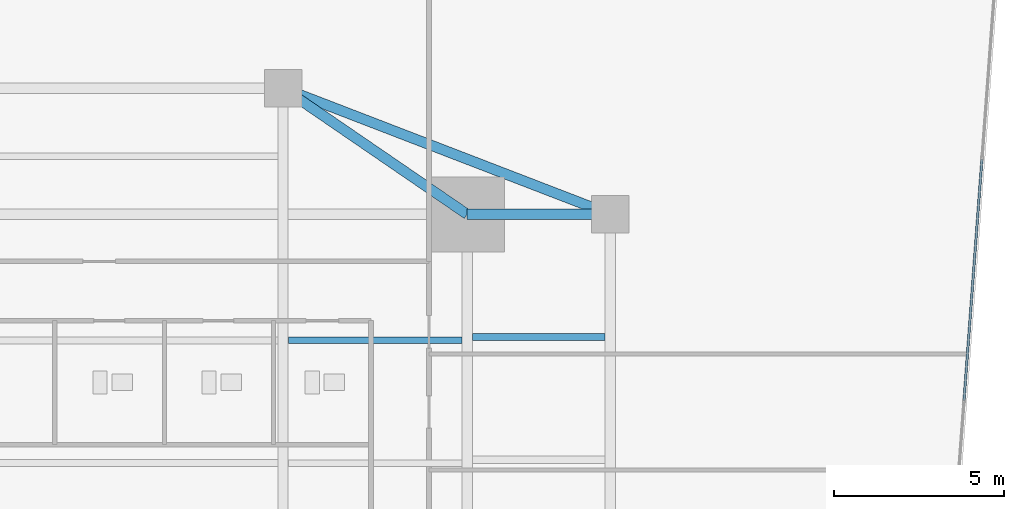
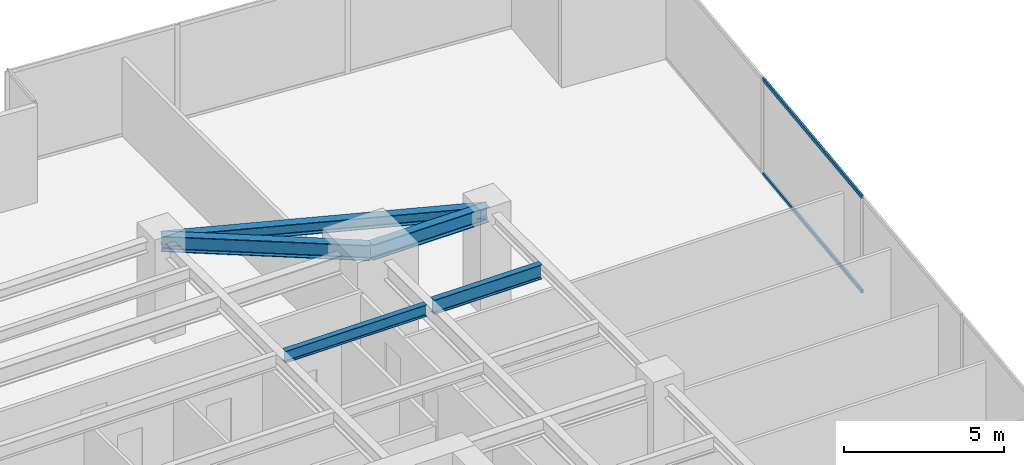
# One storey, part 21 of 30: 5 beams, 2 members, 1 element without a shape of its own.
"""IFC4 building model written with IfcOpenShell, lengths in metres."""

from ifc_helpers import new_model, si_unit, direction, frame, origin, origin_2d, place, context, subcontext, project, spatial, hollow_rectangle, i_section, extrude, source, transform, mapped, material, material_profile, profile_set, type_object, type_shapes, element, aggregate, save


model = new_model("IFC4")

# Units and contexts
model_context = context("Model", 3, precision=1e-05, world=origin(), true_north=direction((0.0, 1.0)))
body_context = subcontext(model_context, "Body", "Model", "MODEL_VIEW")
ifc_project = project(units=[si_unit("LENGTHUNIT", "METRE"), si_unit("AREAUNIT", "SQUARE_METRE"), si_unit("VOLUMEUNIT", "CUBIC_METRE"), si_unit("PLANEANGLEUNIT", "RADIAN"), si_unit("MASSUNIT", "GRAM", prefix="KILO")], contexts=[model_context])

# Site, building, storey
site_placement = place(None, origin())
site = spatial("IfcSite", under=ifc_project, at=site_placement, CompositionType="ELEMENT")
building_placement = place(site_placement, origin())
building = spatial("IfcBuilding", under=site, at=building_placement, Name="Krantzveldt Concourse Tower", CompositionType="ELEMENT")
storey_placement = place(building_placement, frame((0.0, 0.0, 48.699951171875)))
storey = spatial("IfcBuildingStorey", under=building, at=storey_placement, Name="L11", CompositionType="ELEMENT", Elevation=48.699951171875)

# Beams
ifc_material_1 = material(Name="Steel S355JR", Category="steel")
ifc_material_profile_1 = material_profile(ifc_material_1, i_section(OverallWidth=0.300048828125, OverallDepth=0.43994140625, WebThickness=0.011474609375, FlangeThickness=0.02099609375, FilletRadius=0.027099609375, at=origin_2d()), Name="Steel S355JR", Category="steel")
ifc_profile_set_1 = profile_set([ifc_material_profile_1], Name="Steel S355JR - HEA 450")
beam_type_1 = type_object("IfcBeamType", Name="BM-SP-HEA450", PredefinedType="SPANDREL", material=ifc_profile_set_1)
shared_shape_1 = source(origin(), body_context, "Body", "SweptSolid", [
    extrude(i_section(OverallWidth=0.300048828125, OverallDepth=0.43994140625, WebThickness=0.011474609375, FlangeThickness=0.02099609375, FilletRadius=0.027099609375, at=origin_2d()), origin(), (0.0, 0.0, 1.0), 10.288330078125),
])
type_shapes(beam_type_1, [shared_shape_1])
beam_1_placement = place(storey_placement, frame((41.39990234375, 41.199951171875, 3.449951171875), z_axis=(0.933097690408, -0.359622997257, 0.0), x_axis=(0.359622997257, 0.933097690408, 0.0)))
element("IfcBeam", 1, at=beam_1_placement, inside=storey, type_object=beam_type_1, Name="L11 Tower Girder SP-R05", PredefinedType="SPANDREL", context=body_context, shape_type="MappedRepresentation", body=[
    mapped(shared_shape_1, transform((0.0, 0.0, 0.0), x_axis=(1.0, 0.0, 0.0), y_axis=(0.0, 1.0, 0.0), z_axis=(0.0, 0.0, 1.0), scale=1.0)),
])
ifc_material_profile_2 = material_profile(ifc_material_1, i_section(OverallWidth=0.300048828125, OverallDepth=0.590087890625, WebThickness=0.012939453125, FlangeThickness=0.02490234375, FilletRadius=0.027099609375, at=origin_2d()), Name="Steel S355JR", Category="steel")
ifc_profile_set_2 = profile_set([ifc_material_profile_2], Name="Steel S355JR - HEA 600")
beam_type_2 = type_object("IfcBeamType", Name="BM-B-HEA600", PredefinedType="BEAM", material=ifc_profile_set_2)
shared_shape_2 = source(origin(), body_context, "Body", "SweptSolid", [
    extrude(i_section(OverallWidth=0.300048828125, OverallDepth=0.590087890625, WebThickness=0.012939453125, FlangeThickness=0.02490234375, FilletRadius=0.027099609375, at=origin_2d()), origin(), (0.0, 0.0, 1.0), 4.199951171875),
])
beam_2_placement = place(storey_placement, frame((46.800048828125, 37.5, 3.375), z_axis=(1.0, 0.0, 0.0), x_axis=(0.0, 1.0, 0.0)))
element("IfcBeam", 2, at=beam_2_placement, inside=storey, type_object=beam_type_2, Name="L11 Tower Girder BR-RR3", PredefinedType="BEAM", context=body_context, shape_type="MappedRepresentation", body=[
    mapped(shared_shape_2, transform((0.0, 0.0, 0.0), x_axis=(1.0, 0.0, 0.0), y_axis=(0.0, 1.0, 0.0), z_axis=(0.0, 0.0, 1.0), scale=1.0)),
])
shared_shape_3 = source(origin(), body_context, "Body", "SweptSolid", [
    extrude(i_section(OverallWidth=0.300048828125, OverallDepth=0.590087890625, WebThickness=0.012939453125, FlangeThickness=0.02490234375, FilletRadius=0.027099609375, at=origin_2d()), origin(), (0.0, 0.0, 1.0), 6.546142578125),
])
type_shapes(beam_type_2, [shared_shape_2, shared_shape_3])
beam_3_placement = place(storey_placement, frame((46.800048828125, 37.5, 3.375), z_axis=(-0.824942999484, 0.565215930068, 0.0), x_axis=(-0.565215930068, -0.824942999484, 0.0)))
element("IfcBeam", 3, at=beam_3_placement, inside=storey, type_object=beam_type_2, Name="L11 Tower Girder BR-RR4", PredefinedType="BEAM", context=body_context, shape_type="MappedRepresentation", body=[
    mapped(shared_shape_3, transform((0.0, 0.0, 0.0), x_axis=(1.0, 0.0, 0.0), y_axis=(0.0, 1.0, 0.0), z_axis=(0.0, 0.0, 1.0), scale=1.0)),
])
ifc_material_profile_3 = material_profile(ifc_material_1, i_section(OverallWidth=0.18994140625, OverallDepth=0.449951171875, WebThickness=0.009521484375, FlangeThickness=0.0146484375, FilletRadius=0.02099609375, at=origin_2d()), Name="Steel S355JR", Category="steel")
ifc_profile_set_3 = profile_set([ifc_material_profile_3], Name="Steel S355JR - IPE 450")
beam_type_3 = type_object("IfcBeamType", Name="BM-J-IPE450", PredefinedType="JOIST", material=ifc_profile_set_3)
shared_shape_4 = source(origin(), body_context, "Body", "SweptSolid", [
    extrude(i_section(OverallWidth=0.18994140625, OverallDepth=0.449951171875, WebThickness=0.009521484375, FlangeThickness=0.0146484375, FilletRadius=0.02099609375, at=origin_2d()), origin(), (0.0, 0.0, 1.0), 5.099853515625),
])
type_shapes(beam_type_3, [shared_shape_4])
beam_4_placement = place(storey_placement, frame((41.550048828125, 33.800048828125, 3.445068359375), z_axis=(1.0, 0.0, 0.0), x_axis=(0.0, 1.0, 0.0)))
element("IfcBeam", 4, at=beam_4_placement, inside=storey, type_object=beam_type_3, Name="L11 Secondary Floor Joist JN-E2", PredefinedType="JOIST", context=body_context, shape_type="MappedRepresentation", body=[
    mapped(shared_shape_4, transform((0.0, 0.0, 0.0), x_axis=(1.0, 0.0, 0.0), y_axis=(0.0, 1.0, 0.0), z_axis=(0.0, 0.0, 1.0), scale=1.0)),
])
ifc_material_profile_4 = material_profile(ifc_material_1, i_section(OverallWidth=0.2099609375, OverallDepth=0.550048828125, WebThickness=0.010986328125, FlangeThickness=0.01708984375, FilletRadius=0.02392578125, at=origin_2d()), Name="Steel S355JR", Category="steel")
ifc_profile_set_4 = profile_set([ifc_material_profile_4], Name="Steel S355JR - IPE 550")
beam_type_4 = type_object("IfcBeamType", Name="BM-J-IPE550", PredefinedType="JOIST", material=ifc_profile_set_4)
shared_shape_5 = source(origin(), body_context, "Body", "SweptSolid", [
    extrude(i_section(OverallWidth=0.2099609375, OverallDepth=0.550048828125, WebThickness=0.010986328125, FlangeThickness=0.01708984375, FilletRadius=0.02392578125, at=origin_2d()), origin(), (0.0, 0.0, 1.0), 3.900146484375),
])
type_shapes(beam_type_4, [shared_shape_5])
beam_5_placement = place(storey_placement, frame((46.949951171875, 33.89990234375, 3.39501953125), z_axis=(1.0, 0.0, 0.0), x_axis=(0.0, 1.0, 0.0)))
element("IfcBeam", 5, at=beam_5_placement, inside=storey, type_object=beam_type_4, Name="L11 Secondary Floor Joist JE-4", PredefinedType="JOIST", context=body_context, shape_type="MappedRepresentation", body=[
    mapped(shared_shape_5, transform((0.0, 0.0, 0.0), x_axis=(1.0, 0.0, 0.0), y_axis=(0.0, 1.0, 0.0), z_axis=(0.0, 0.0, 1.0), scale=1.0)),
])

# Curtain wall, members
ifc_material_2 = material(Name="Anodised aluminium 6063-T6", Category="aluminium")
curtain_wall_type = type_object("IfcCurtainWallType", Name="CW2", PredefinedType="USERDEFINED", material=ifc_material_2)
curtain_wall_placement = place(storey_placement, origin())
curtain_wall = element("IfcCurtainWall", 6, at=curtain_wall_placement, inside=storey, type_object=curtain_wall_type, Name="CW-L11-F07", ObjectType="UNITISED CURTAIN WALL", PredefinedType="USERDEFINED")
ifc_material_profile_5 = material_profile(ifc_material_2, hollow_rectangle(XDim=0.070068359375, YDim=0.139892578125, WallThickness=0.0048828125, at=origin_2d()), Name="Anodised aluminium 6063-T6", Category="aluminium")
ifc_profile_set_5 = profile_set([ifc_material_profile_5], Name="Anodised aluminium 6063-T6 - ALU-TRAN 140x70x5")
member_type = type_object("IfcMemberType", Name="CW-TRN-150", PredefinedType="USERDEFINED", material=ifc_profile_set_5)
shared_shape_6 = source(origin(), body_context, "Body", "SweptSolid", [
    extrude(hollow_rectangle(XDim=0.070068359375, YDim=0.139892578125, WallThickness=0.0048828125, at=origin_2d()), origin(), (0.0, 0.0, 1.0), 7.0966796875),
])
type_shapes(member_type, [shared_shape_6])
member_1_placement = place(storey_placement, frame((61.375244140625, 32.035888671875, 0.03515625), z_axis=(0.074102314311, 0.997250644028, 0.0), x_axis=(-0.997250644028, 0.074102314311, 0.0)))
member_1 = element("IfcMember", 7, at=member_1_placement, type_object=member_type, Name="CW-Z12 transom 5.1", ObjectType="TRANSOM", PredefinedType="USERDEFINED", context=body_context, shape_type="MappedRepresentation", body=[
    mapped(shared_shape_6, transform((0.0, 0.0, 0.0), x_axis=(1.0, 0.0, 0.0), y_axis=(0.0, 1.0, 0.0), z_axis=(0.0, 0.0, 1.0), scale=1.0)),
])
member_2_placement = place(storey_placement, frame((61.375244140625, 32.035888671875, 3.635009765625), z_axis=(0.074102314311, 0.997250644028, 0.0), x_axis=(-0.997250644028, 0.074102314311, 0.0)))
member_2 = element("IfcMember", 8, at=member_2_placement, type_object=member_type, Name="CW-Z12 transom 5.2", ObjectType="TRANSOM", PredefinedType="USERDEFINED", context=body_context, shape_type="MappedRepresentation", body=[
    mapped(shared_shape_6, transform((0.0, 0.0, 0.0), x_axis=(1.0, 0.0, 0.0), y_axis=(0.0, 1.0, 0.0), z_axis=(0.0, 0.0, 1.0), scale=1.0)),
])
aggregate(curtain_wall, [member_1, member_2])

save(model, "model.ifc")
